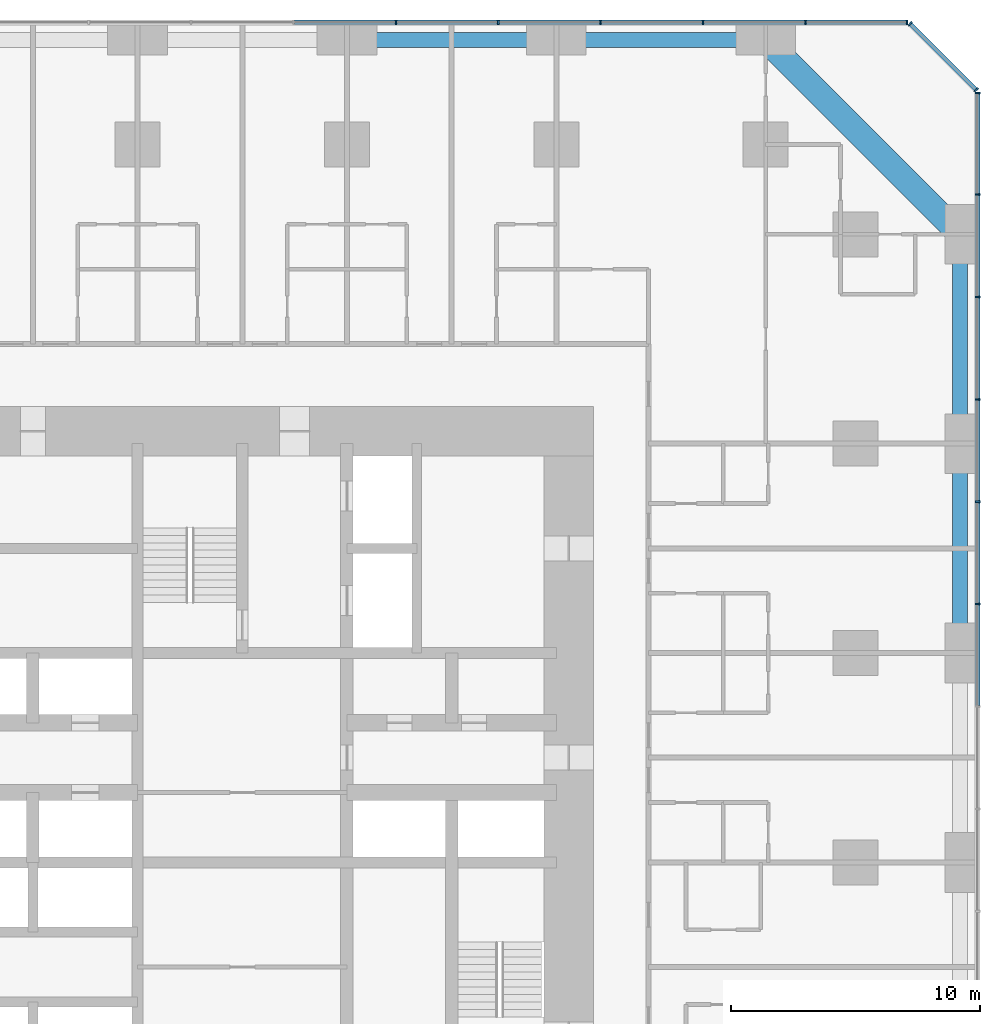
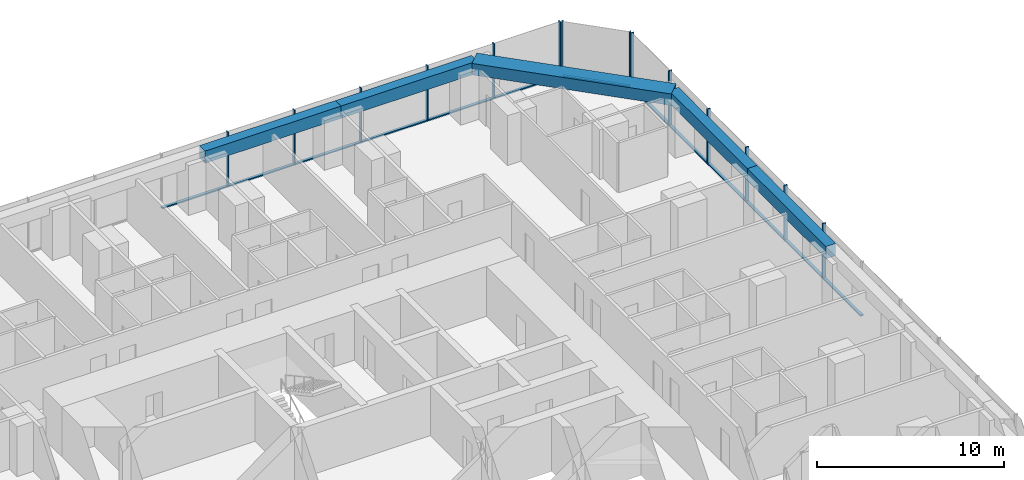
# One storey, part 8 of 18: 27 members, 5 beams, 3 elements without a shape of their own.
"""IFC4 building model written with IfcOpenShell, lengths in metres."""

from ifc_helpers import new_model, si_unit, direction, frame, origin, origin_2d, place, context, subcontext, project, spatial, rectangle, extrude, material, material_profile, profile_set, type_object, element, aggregate, save


model = new_model("IFC4")

# Units and contexts
model_context = context("Model", 3, precision=1e-05, world=origin(), true_north=direction((0.0, 1.0)))
body_context = subcontext(model_context, "Body", "Model", "MODEL_VIEW")
ifc_project = project(units=[si_unit("LENGTHUNIT", "METRE"), si_unit("AREAUNIT", "SQUARE_METRE"), si_unit("VOLUMEUNIT", "CUBIC_METRE"), si_unit("PLANEANGLEUNIT", "RADIAN"), si_unit("MASSUNIT", "GRAM", prefix="KILO")], contexts=[model_context])

# Site, building, storey
site_placement = place(None, origin())
site = spatial("IfcSite", under=ifc_project, at=site_placement, CompositionType="ELEMENT")
building_placement = place(site_placement, origin())
building = spatial("IfcBuilding", under=site, at=building_placement, Name="Dunama Terrace Hotel", CompositionType="ELEMENT")
storey_placement = place(building_placement, frame((0.0, 0.0, 27.0)))
storey = spatial("IfcBuildingStorey", under=building, at=storey_placement, Name="L05", CompositionType="ELEMENT", Elevation=27.0)

# Curtain wall, members
ifc_material_1 = material(Name="Aluminium curtain wall system", Category="aluminium")
curtain_wall_type = type_object("IfcCurtainWallType", Name="Unitised fritted glass wall CW-A", PredefinedType="NOTDEFINED", material=ifc_material_1)
curtain_wall_1_placement = place(storey_placement, origin())
curtain_wall_1 = element("IfcCurtainWall", 1, at=curtain_wall_1_placement, inside=storey, type_object=curtain_wall_type, Name="Unitised fritted glass wall CW-A L05", PredefinedType="NOTDEFINED")
ifc_material_2 = material(Name="Aluminium mullion", Category="aluminium")
ifc_material_profile_1 = material_profile(ifc_material_2, rectangle(XDim=0.06494140625, YDim=0.199951171875, at=origin_2d()), Name="CWA MULLION 65X200")
ifc_profile_set_1 = profile_set([ifc_material_profile_1], Name="Aluminium mullion")
member_type_1 = type_object("IfcMemberType", Name="CWA mullion 65x200", PredefinedType="MULLION", material=ifc_profile_set_1)
member_1_placement = place(storey_placement, frame((58.89990234375, 35.56201171875, 0.0), z_axis=(0.0, 0.0, 1.0), x_axis=(0.0, 1.0, 0.0)))
member_1 = element("IfcMember", 2, at=member_1_placement, type_object=member_type_1, Name="CWA mullion", PredefinedType="MULLION", context=body_context, shape_type="SweptSolid", body=[
    extrude(rectangle(XDim=0.06494140625, YDim=0.199951171875, at=origin_2d()), origin(), (0.0, 0.0, 1.0), 3.60009765625),
])
member_2_placement = place(storey_placement, frame((58.89990234375, 39.6689453125, 0.0), z_axis=(0.0, 0.0, 1.0), x_axis=(0.0, 1.0, 0.0)))
member_2 = element("IfcMember", 3, at=member_2_placement, type_object=member_type_1, Name="CWA mullion", PredefinedType="MULLION", context=body_context, shape_type="SweptSolid", body=[
    extrude(rectangle(XDim=0.06494140625, YDim=0.199951171875, at=origin_2d()), origin(), (0.0, 0.0, 1.0), 3.60009765625),
])
member_3_placement = place(storey_placement, frame((58.89990234375, 43.777099609375, 0.0), z_axis=(0.0, 0.0, 1.0), x_axis=(0.0, 1.0, 0.0)))
member_3 = element("IfcMember", 4, at=member_3_placement, type_object=member_type_1, Name="CWA mullion", PredefinedType="MULLION", context=body_context, shape_type="SweptSolid", body=[
    extrude(rectangle(XDim=0.06494140625, YDim=0.199951171875, at=origin_2d()), origin(), (0.0, 0.0, 1.0), 3.60009765625),
])
member_4_placement = place(storey_placement, frame((58.89990234375, 47.885009765625, 0.0), z_axis=(0.0, 0.0, 1.0), x_axis=(0.0, 1.0, 0.0)))
member_4 = element("IfcMember", 5, at=member_4_placement, type_object=member_type_1, Name="CWA mullion", PredefinedType="MULLION", context=body_context, shape_type="SweptSolid", body=[
    extrude(rectangle(XDim=0.06494140625, YDim=0.199951171875, at=origin_2d()), origin(), (0.0, 0.0, 1.0), 3.60009765625),
])
member_5_placement = place(storey_placement, frame((58.89990234375, 51.991943359375, 0.0), z_axis=(0.0, 0.0, 1.0), x_axis=(0.0, 1.0, 0.0)))
member_5 = element("IfcMember", 6, at=member_5_placement, type_object=member_type_1, Name="CWA mullion", PredefinedType="MULLION", context=body_context, shape_type="SweptSolid", body=[
    extrude(rectangle(XDim=0.06494140625, YDim=0.199951171875, at=origin_2d()), origin(), (0.0, 0.0, 1.0), 3.60009765625),
])
member_6_placement = place(storey_placement, frame((58.89990234375, 56.06689453125, 0.0), z_axis=(0.0, 0.0, 1.0), x_axis=(0.0, 1.0, 0.0)))
member_6 = element("IfcMember", 7, at=member_6_placement, type_object=member_type_1, Name="CWA mullion", PredefinedType="MULLION", context=body_context, shape_type="SweptSolid", body=[
    extrude(rectangle(XDim=0.06494140625, YDim=0.199951171875, at=origin_2d()), origin(), (0.0, 0.0, 1.0), 3.60009765625),
])

curtain_wall_2_placement = place(storey_placement, origin())
curtain_wall_2 = element("IfcCurtainWall", 8, at=curtain_wall_2_placement, inside=storey, type_object=curtain_wall_type, Name="Unitised fritted glass wall CW-A L05", PredefinedType="NOTDEFINED")
member_7_placement = place(storey_placement, frame((58.847900390625, 56.194091796875, 0.0), z_axis=(0.0, 0.0, 1.0), x_axis=(-0.707106781187, 0.707106781187, 0.0)))
member_7 = element("IfcMember", 9, at=member_7_placement, type_object=member_type_1, Name="CWA mullion", PredefinedType="MULLION", context=body_context, shape_type="SweptSolid", body=[
    extrude(rectangle(XDim=0.06494140625, YDim=0.199951171875, at=origin_2d()), origin(), (0.0, 0.0, 1.0), 3.60009765625),
])
member_8_placement = place(storey_placement, frame((56.194091796875, 58.847900390625, 0.0), z_axis=(0.0, 0.0, 1.0), x_axis=(-0.707106781187, 0.707106781187, 0.0)))
member_8 = element("IfcMember", 10, at=member_8_placement, type_object=member_type_1, Name="CWA mullion", PredefinedType="MULLION", context=body_context, shape_type="SweptSolid", body=[
    extrude(rectangle(XDim=0.06494140625, YDim=0.199951171875, at=origin_2d()), origin(), (0.0, 0.0, 1.0), 3.60009765625),
])

curtain_wall_3_placement = place(storey_placement, origin())
curtain_wall_3 = element("IfcCurtainWall", 11, at=curtain_wall_3_placement, inside=storey, type_object=curtain_wall_type, Name="Unitised fritted glass wall CW-A L05", PredefinedType="NOTDEFINED")
member_9_placement = place(storey_placement, frame((56.06689453125, 58.89990234375, 0.0), z_axis=(0.0, 0.0, 1.0), x_axis=(-1.0, 0.0, 0.0)))
member_9 = element("IfcMember", 12, at=member_9_placement, type_object=member_type_1, Name="CWA mullion", PredefinedType="MULLION", context=body_context, shape_type="SweptSolid", body=[
    extrude(rectangle(XDim=0.06494140625, YDim=0.199951171875, at=origin_2d()), origin(), (0.0, 0.0, 1.0), 3.60009765625),
])
member_10_placement = place(storey_placement, frame((51.991943359375, 58.89990234375, 0.0), z_axis=(0.0, 0.0, 1.0), x_axis=(-1.0, 0.0, 0.0)))
member_10 = element("IfcMember", 13, at=member_10_placement, type_object=member_type_1, Name="CWA mullion", PredefinedType="MULLION", context=body_context, shape_type="SweptSolid", body=[
    extrude(rectangle(XDim=0.06494140625, YDim=0.199951171875, at=origin_2d()), origin(), (0.0, 0.0, 1.0), 3.60009765625),
])
member_11_placement = place(storey_placement, frame((47.885009765625, 58.89990234375, 0.0), z_axis=(0.0, 0.0, 1.0), x_axis=(-1.0, 0.0, 0.0)))
member_11 = element("IfcMember", 14, at=member_11_placement, type_object=member_type_1, Name="CWA mullion", PredefinedType="MULLION", context=body_context, shape_type="SweptSolid", body=[
    extrude(rectangle(XDim=0.06494140625, YDim=0.199951171875, at=origin_2d()), origin(), (0.0, 0.0, 1.0), 3.60009765625),
])
member_12_placement = place(storey_placement, frame((43.777099609375, 58.89990234375, 0.0), z_axis=(0.0, 0.0, 1.0), x_axis=(-1.0, 0.0, 0.0)))
member_12 = element("IfcMember", 15, at=member_12_placement, type_object=member_type_1, Name="CWA mullion", PredefinedType="MULLION", context=body_context, shape_type="SweptSolid", body=[
    extrude(rectangle(XDim=0.06494140625, YDim=0.199951171875, at=origin_2d()), origin(), (0.0, 0.0, 1.0), 3.60009765625),
])
member_13_placement = place(storey_placement, frame((39.6689453125, 58.89990234375, 0.0), z_axis=(0.0, 0.0, 1.0), x_axis=(-1.0, 0.0, 0.0)))
member_13 = element("IfcMember", 16, at=member_13_placement, type_object=member_type_1, Name="CWA mullion", PredefinedType="MULLION", context=body_context, shape_type="SweptSolid", body=[
    extrude(rectangle(XDim=0.06494140625, YDim=0.199951171875, at=origin_2d()), origin(), (0.0, 0.0, 1.0), 3.60009765625),
])
member_14_placement = place(storey_placement, frame((35.56201171875, 58.89990234375, 0.0), z_axis=(0.0, 0.0, 1.0), x_axis=(-1.0, 0.0, 0.0)))
member_14 = element("IfcMember", 17, at=member_14_placement, type_object=member_type_1, Name="CWA mullion", PredefinedType="MULLION", context=body_context, shape_type="SweptSolid", body=[
    extrude(rectangle(XDim=0.06494140625, YDim=0.199951171875, at=origin_2d()), origin(), (0.0, 0.0, 1.0), 3.60009765625),
])

# Member
ifc_material_3 = material(Name="Aluminium transom", Category="aluminium")
ifc_material_profile_2 = material_profile(ifc_material_3, rectangle(XDim=0.179931640625, YDim=0.074951171875, at=origin_2d()), Name="CWA TRANSOM 180X75")
ifc_profile_set_2 = profile_set([ifc_material_profile_2], Name="Aluminium transom")
member_type_2 = type_object("IfcMemberType", Name="CWA transom 180x75", PredefinedType="USERDEFINED", material=ifc_profile_set_2)
member_15_placement = place(storey_placement, frame((58.89990234375, 31.486083984375, 0.03759765625), z_axis=(0.0, 1.0, 0.0), x_axis=(-1.0, 0.0, 0.0)))
member_15 = element("IfcMember", 18, at=member_15_placement, type_object=member_type_2, Name="CWA transom", ObjectType="TRANSOM", PredefinedType="USERDEFINED", context=body_context, shape_type="SweptSolid", body=[
    extrude(rectangle(XDim=0.179931640625, YDim=0.074951171875, at=origin_2d()), origin(), (0.0, 0.0, 1.0), 4.04296875),
])

member_16_placement = place(storey_placement, frame((58.89990234375, 35.593994140625, 0.03759765625), z_axis=(0.0, 1.0, 0.0), x_axis=(-1.0, 0.0, 0.0)))
member_16 = element("IfcMember", 19, at=member_16_placement, type_object=member_type_2, Name="CWA transom", ObjectType="TRANSOM", PredefinedType="USERDEFINED", context=body_context, shape_type="SweptSolid", body=[
    extrude(rectangle(XDim=0.179931640625, YDim=0.074951171875, at=origin_2d()), origin(), (0.0, 0.0, 1.0), 4.04296875),
])

member_17_placement = place(storey_placement, frame((58.89990234375, 39.701904296875, 0.03759765625), z_axis=(0.0, 1.0, 0.0), x_axis=(-1.0, 0.0, 0.0)))
member_17 = element("IfcMember", 20, at=member_17_placement, type_object=member_type_2, Name="CWA transom", ObjectType="TRANSOM", PredefinedType="USERDEFINED", context=body_context, shape_type="SweptSolid", body=[
    extrude(rectangle(XDim=0.179931640625, YDim=0.074951171875, at=origin_2d()), origin(), (0.0, 0.0, 1.0), 4.0419921875),
])

member_18_placement = place(storey_placement, frame((58.89990234375, 43.80908203125, 0.03759765625), z_axis=(0.0, 1.0, 0.0), x_axis=(-1.0, 0.0, 0.0)))
member_18 = element("IfcMember", 21, at=member_18_placement, type_object=member_type_2, Name="CWA transom", ObjectType="TRANSOM", PredefinedType="USERDEFINED", context=body_context, shape_type="SweptSolid", body=[
    extrude(rectangle(XDim=0.179931640625, YDim=0.074951171875, at=origin_2d()), origin(), (0.0, 0.0, 1.0), 4.04296875),
])

member_19_placement = place(storey_placement, frame((58.89990234375, 47.9169921875, 0.03759765625), z_axis=(0.0, 1.0, 0.0), x_axis=(-1.0, 0.0, 0.0)))
member_19 = element("IfcMember", 22, at=member_19_placement, type_object=member_type_2, Name="CWA transom", ObjectType="TRANSOM", PredefinedType="USERDEFINED", context=body_context, shape_type="SweptSolid", body=[
    extrude(rectangle(XDim=0.179931640625, YDim=0.074951171875, at=origin_2d()), origin(), (0.0, 0.0, 1.0), 4.04296875),
])

member_20_placement = place(storey_placement, frame((58.89990234375, 52.02490234375, 0.03759765625), z_axis=(0.0, 1.0, 0.0), x_axis=(-1.0, 0.0, 0.0)))
member_20 = element("IfcMember", 23, at=member_20_placement, type_object=member_type_2, Name="CWA transom", ObjectType="TRANSOM", PredefinedType="USERDEFINED", context=body_context, shape_type="SweptSolid", body=[
    extrude(rectangle(XDim=0.179931640625, YDim=0.074951171875, at=origin_2d()), origin(), (0.0, 0.0, 1.0), 4.010009765625),
])

aggregate(curtain_wall_1, [member_1, member_2, member_3, member_4, member_5, member_6, member_15, member_16, member_17, member_18, member_19, member_20])

member_21_placement = place(storey_placement, frame((58.824951171875, 56.217041015625, 0.03759765625), z_axis=(-0.707106781187, 0.707106781187, 0.0), x_axis=(-0.707106781187, -0.707106781187, 0.0)))
member_21 = element("IfcMember", 24, at=member_21_placement, type_object=member_type_2, Name="CWA transom", ObjectType="TRANSOM", PredefinedType="USERDEFINED", context=body_context, shape_type="SweptSolid", body=[
    extrude(rectangle(XDim=0.179931640625, YDim=0.074951171875, at=origin_2d()), origin(), (0.0, 0.0, 1.0), 3.688232421875),
])

aggregate(curtain_wall_2, [member_7, member_8, member_21])

member_22_placement = place(storey_placement, frame((56.034912109375, 58.89990234375, 0.03759765625), z_axis=(-1.0, 0.0, 0.0), x_axis=(0.0, -1.0, 0.0)))
member_22 = element("IfcMember", 25, at=member_22_placement, type_object=member_type_2, Name="CWA transom", ObjectType="TRANSOM", PredefinedType="USERDEFINED", context=body_context, shape_type="SweptSolid", body=[
    extrude(rectangle(XDim=0.179931640625, YDim=0.074951171875, at=origin_2d()), origin(), (0.0, 0.0, 1.0), 4.010009765625),
])

member_23_placement = place(storey_placement, frame((51.9599609375, 58.89990234375, 0.03759765625), z_axis=(-1.0, 0.0, 0.0), x_axis=(0.0, -1.0, 0.0)))
member_23 = element("IfcMember", 26, at=member_23_placement, type_object=member_type_2, Name="CWA transom", ObjectType="TRANSOM", PredefinedType="USERDEFINED", context=body_context, shape_type="SweptSolid", body=[
    extrude(rectangle(XDim=0.179931640625, YDim=0.074951171875, at=origin_2d()), origin(), (0.0, 0.0, 1.0), 4.04296875),
])

member_24_placement = place(storey_placement, frame((47.85205078125, 58.89990234375, 0.03759765625), z_axis=(-1.0, 0.0, 0.0), x_axis=(0.0, -1.0, 0.0)))
member_24 = element("IfcMember", 27, at=member_24_placement, type_object=member_type_2, Name="CWA transom", ObjectType="TRANSOM", PredefinedType="USERDEFINED", context=body_context, shape_type="SweptSolid", body=[
    extrude(rectangle(XDim=0.179931640625, YDim=0.074951171875, at=origin_2d()), origin(), (0.0, 0.0, 1.0), 4.04296875),
])

member_25_placement = place(storey_placement, frame((43.743896484375, 58.89990234375, 0.03759765625), z_axis=(-1.0, 0.0, 0.0), x_axis=(0.0, -1.0, 0.0)))
member_25 = element("IfcMember", 28, at=member_25_placement, type_object=member_type_2, Name="CWA transom", ObjectType="TRANSOM", PredefinedType="USERDEFINED", context=body_context, shape_type="SweptSolid", body=[
    extrude(rectangle(XDim=0.179931640625, YDim=0.074951171875, at=origin_2d()), origin(), (0.0, 0.0, 1.0), 4.0419921875),
])

member_26_placement = place(storey_placement, frame((39.636962890625, 58.89990234375, 0.03759765625), z_axis=(-1.0, 0.0, 0.0), x_axis=(0.0, -1.0, 0.0)))
member_26 = element("IfcMember", 29, at=member_26_placement, type_object=member_type_2, Name="CWA transom", ObjectType="TRANSOM", PredefinedType="USERDEFINED", context=body_context, shape_type="SweptSolid", body=[
    extrude(rectangle(XDim=0.179931640625, YDim=0.074951171875, at=origin_2d()), origin(), (0.0, 0.0, 1.0), 4.04296875),
])

member_27_placement = place(storey_placement, frame((35.529052734375, 58.89990234375, 0.03759765625), z_axis=(-1.0, 0.0, 0.0), x_axis=(0.0, -1.0, 0.0)))
member_27 = element("IfcMember", 30, at=member_27_placement, type_object=member_type_2, Name="CWA transom", ObjectType="TRANSOM", PredefinedType="USERDEFINED", context=body_context, shape_type="SweptSolid", body=[
    extrude(rectangle(XDim=0.179931640625, YDim=0.074951171875, at=origin_2d()), origin(), (0.0, 0.0, 1.0), 4.04296875),
])

aggregate(curtain_wall_3, [member_9, member_10, member_11, member_12, member_13, member_14, member_22, member_23, member_24, member_25, member_26, member_27])

# Beams
ifc_material_4 = material(Name="Concrete C50/60", Category="concrete")
ifc_material_profile_3 = material_profile(ifc_material_4, rectangle(XDim=1.0, YDim=0.75, at=origin_2d()), Name="RC 1000x750")
ifc_profile_set_3 = profile_set([ifc_material_profile_3], Name="Concrete C50/60")
beam_type_1 = type_object("IfcBeamType", Name="Edge beam RC 1000x750", PredefinedType="SPANDREL", material=ifc_profile_set_3)
beam_placement = place(storey_placement, frame((50.39990234375, 58.199951171875, 3.22509765625), z_axis=(0.707106781187, -0.707106781187, 0.0), x_axis=(0.707106781187, 0.707106781187, 0.0)))
element("IfcBeam", 31, at=beam_placement, inside=storey, type_object=beam_type_1, Name="Corner edge beam under L06", PredefinedType="SPANDREL", context=body_context, shape_type="SweptSolid", body=[
    extrude(rectangle(XDim=1.0, YDim=0.75, at=origin_2d()), origin(), (0.0, 0.0, 1.0), 11.031005859375),
])
ifc_material_5 = material(Name="Concrete C40/50", Category="concrete")
ifc_material_profile_4 = material_profile(ifc_material_5, rectangle(XDim=0.60009765625, YDim=0.800048828125, at=origin_2d()), Name="RC 600x800")
ifc_profile_set_4 = profile_set([ifc_material_profile_4], Name="Concrete C40/50")
beam_type_2 = type_object("IfcBeamType", Name="Edge beam RC 600x800", PredefinedType="SPANDREL", material=ifc_profile_set_4)
for number, where, z_axis, x_axis, name in (
    (32, (58.199951171875, 33.60009765625, 3.199951171875), (0.0, 1.0, 0.0), (-1.0, 0.0, 0.0), "Edge beam under L06"),
    (33, (58.199951171875, 42.0, 3.199951171875), (0.0, 1.0, 0.0), (-1.0, 0.0, 0.0), "Edge beam under L06"),
    (34, (33.60009765625, 58.199951171875, 3.199951171875), (1.0, 0.0, 0.0), (0.0, 1.0, 0.0), "Edge beam under L06"),
    (35, (42.0, 58.199951171875, 3.199951171875), (1.0, 0.0, 0.0), (0.0, 1.0, 0.0), "Edge beam under L06"),
):
    element("IfcBeam", number, at=place(storey_placement, frame(where, z_axis=z_axis, x_axis=x_axis)), inside=storey, type_object=beam_type_2, Name=name, PredefinedType="SPANDREL", context=body_context, shape_type="SweptSolid", body=[
        extrude(rectangle(XDim=0.60009765625, YDim=0.800048828125, at=origin_2d()), origin(), (0.0, 0.0, 1.0), 8.39990234375),
    ])

save(model, "model.ifc")
